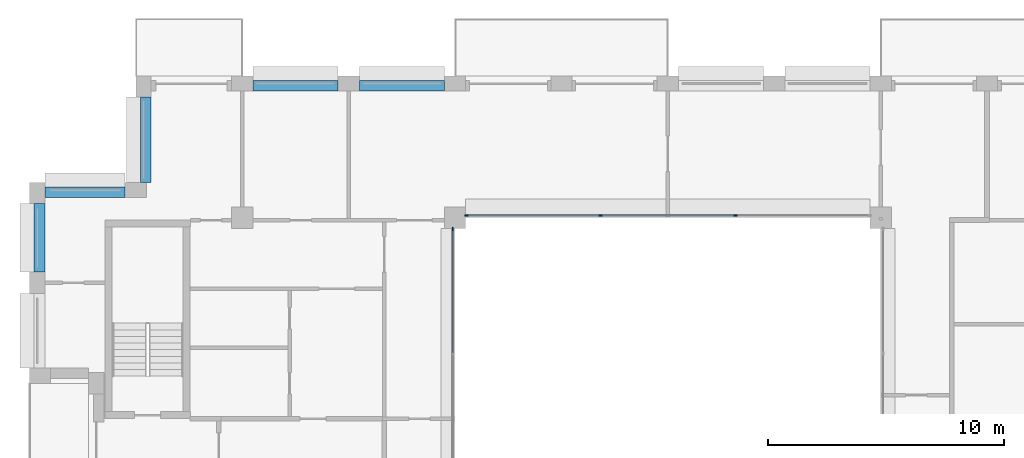
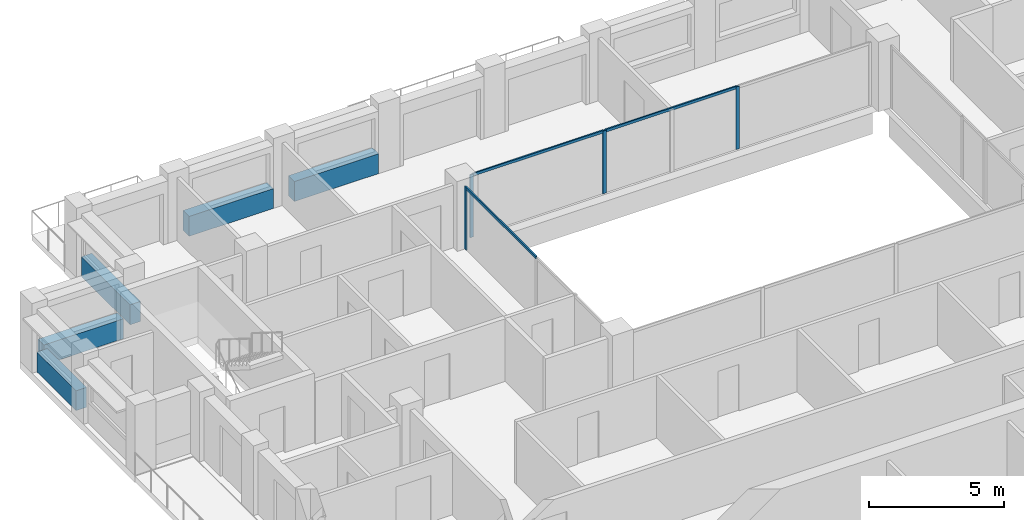
# One storey, part 5 of 16: 7 members, 5 beams, 2 elements without a shape of their own.
"""IFC4 building model written with IfcOpenShell, lengths in metres."""

from ifc_helpers import new_model, si_unit, direction, frame, origin, origin_2d, place, context, subcontext, project, spatial, rectangle, extrude, material, layer, layer_set, material_profile, profile_set, type_object, element, aggregate, save


model = new_model("IFC4")

# Units and contexts
model_context = context("Model", 3, precision=1e-05, world=origin(), true_north=direction((0.0, 1.0)))
body_context = subcontext(model_context, "Body", "Model", "MODEL_VIEW")
ifc_project = project(units=[si_unit("LENGTHUNIT", "METRE"), si_unit("AREAUNIT", "SQUARE_METRE"), si_unit("VOLUMEUNIT", "CUBIC_METRE"), si_unit("PLANEANGLEUNIT", "RADIAN"), si_unit("MASSUNIT", "GRAM", prefix="KILO")], contexts=[model_context])

# Site, building, storey
site_placement = place(None, origin())
site = spatial("IfcSite", under=ifc_project, at=site_placement, CompositionType="ELEMENT")
building_placement = place(site_placement, origin())
building = spatial("IfcBuilding", under=site, at=building_placement, Name="Brigalow Station Residences", CompositionType="ELEMENT")
storey_placement = place(building_placement, frame((0.0, 0.0, 204.300048828125)))
storey = spatial("IfcBuildingStorey", under=building, at=storey_placement, Name="L58", CompositionType="ELEMENT", Elevation=204.300048828125)

# Curtain wall, members
ifc_material_1 = material(Name="Aluminium", Category="aluminium")
ifc_layer = layer(ifc_material_1, 0.14990234375)
ifc_layer_set = layer_set([ifc_layer], Name="ATRIUM FIRE-RATED GLAZING CURTAIN WALL")
curtain_wall_type = type_object("IfcCurtainWallType", Name="ATRIUM FIRE-RATED GLAZING CURTAIN WALL", PredefinedType="NOTDEFINED", material=ifc_layer_set)
curtain_wall_1_placement = place(storey_placement, origin())
curtain_wall_1 = element("IfcCurtainWall", 1, at=curtain_wall_1_placement, inside=storey, type_object=curtain_wall_type, Name="L58/cw/atrium-N", PredefinedType="NOTDEFINED")
ifc_material_2 = material(Name="Aluminium", Category="aluminium")
ifc_material_profile_1 = material_profile(ifc_material_2, rectangle(XDim=0.06005859375, YDim=0.14990234375, at=origin_2d()), Name="ATRIUM FIRE-RATED GLAZING MULLION 60x150")
ifc_profile_set_1 = profile_set([ifc_material_profile_1], Name="Aluminium")
member_type_1 = type_object("IfcMemberType", Name="ATRIUM FIRE-RATED GLAZING MULLION 60x150", PredefinedType="MULLION", material=ifc_profile_set_1)
member_1_placement = place(storey_placement, frame((38.85009765625, 35.60009765625, 0.0), z_axis=(0.0, 0.0, 1.0), x_axis=(0.0, -1.0, 0.0)))
member_1 = element("IfcMember", 2, at=member_1_placement, type_object=member_type_1, Name="L58/cw/atrium-N/M01", PredefinedType="MULLION", context=body_context, shape_type="SweptSolid", body=[
    extrude(rectangle(XDim=0.06005859375, YDim=0.14990234375, at=origin_2d()), origin(), (0.0, 0.0, 1.0), 2.829833984375),
])
member_2_placement = place(storey_placement, frame((33.14990234375, 35.60009765625, 0.0), z_axis=(0.0, 0.0, 1.0), x_axis=(0.0, -1.0, 0.0)))
member_2 = element("IfcMember", 3, at=member_2_placement, type_object=member_type_1, Name="L58/cw/atrium-N/M02", PredefinedType="MULLION", context=body_context, shape_type="SweptSolid", body=[
    extrude(rectangle(XDim=0.06005859375, YDim=0.14990234375, at=origin_2d()), origin(), (0.0, 0.0, 1.0), 2.829833984375),
])
member_3_placement = place(storey_placement, frame((27.47998046875, 35.60009765625, 0.0), z_axis=(0.0, 0.0, 1.0), x_axis=(0.0, -1.0, 0.0)))
member_3 = element("IfcMember", 4, at=member_3_placement, type_object=member_type_1, Name="L58/cw/atrium-N/M03", PredefinedType="MULLION", context=body_context, shape_type="SweptSolid", body=[
    extrude(rectangle(XDim=0.06005859375, YDim=0.14990234375, at=origin_2d()), origin(), (0.0, 0.0, 1.0), 2.829833984375),
])

# Curtain wall, member
curtain_wall_2_placement = place(storey_placement, origin())
curtain_wall_2 = element("IfcCurtainWall", 5, at=curtain_wall_2_placement, inside=storey, type_object=curtain_wall_type, Name="L58/cw/atrium-W", PredefinedType="NOTDEFINED")
member_4_placement = place(storey_placement, frame((26.89990234375, 35.02001953125, 0.0), z_axis=(0.0, 0.0, 1.0), x_axis=(1.0, 0.0, 0.0)))
member_4 = element("IfcMember", 6, at=member_4_placement, type_object=member_type_1, Name="L58/cw/atrium-W/M00", PredefinedType="MULLION", context=body_context, shape_type="SweptSolid", body=[
    extrude(rectangle(XDim=0.06005859375, YDim=0.14990234375, at=origin_2d()), origin(), (0.0, 0.0, 1.0), 2.829833984375),
])

# Member
ifc_material_3 = material(Name="Aluminium", Category="aluminium")
ifc_material_profile_2 = material_profile(ifc_material_3, rectangle(XDim=0.06005859375, YDim=0.1201171875, at=origin_2d()), Name="ATRIUM FIRE-RATED GLAZING TRANSOM 60x120")
ifc_profile_set_2 = profile_set([ifc_material_profile_2], Name="Aluminium")
member_type_2 = type_object("IfcMemberType", Name="ATRIUM FIRE-RATED GLAZING TRANSOM 60x120", PredefinedType="USERDEFINED", material=ifc_profile_set_2)
member_5_placement = place(storey_placement, frame((38.820068359375, 35.60009765625, 2.800048828125), z_axis=(-1.0, 0.0, 0.0), x_axis=(0.0, -1.0, 0.0)))
member_5 = element("IfcMember", 7, at=member_5_placement, type_object=member_type_2, Name="L58/cw/atrium-N/T01-00", ObjectType="TRANSOM", PredefinedType="USERDEFINED", context=body_context, shape_type="SweptSolid", body=[
    extrude(rectangle(XDim=0.06005859375, YDim=0.1201171875, at=origin_2d()), origin(), (0.0, 0.0, 1.0), 5.64013671875),
])

member_6_placement = place(storey_placement, frame((33.1201171875, 35.60009765625, 2.800048828125), z_axis=(-1.0, 0.0, 0.0), x_axis=(0.0, -1.0, 0.0)))
member_6 = element("IfcMember", 8, at=member_6_placement, type_object=member_type_2, Name="L58/cw/atrium-N/T02-00", ObjectType="TRANSOM", PredefinedType="USERDEFINED", context=body_context, shape_type="SweptSolid", body=[
    extrude(rectangle(XDim=0.06005859375, YDim=0.1201171875, at=origin_2d()), origin(), (0.0, 0.0, 1.0), 5.610107421875),
])

aggregate(curtain_wall_1, [member_1, member_2, member_3, member_5, member_6])

member_7_placement = place(storey_placement, frame((26.89990234375, 34.989990234375, 2.800048828125), z_axis=(0.0, -1.0, 0.0), x_axis=(1.0, 0.0, 0.0)))
member_7 = element("IfcMember", 9, at=member_7_placement, type_object=member_type_2, Name="L58/cw/atrium-W/T00-00", ObjectType="TRANSOM", PredefinedType="USERDEFINED", context=body_context, shape_type="SweptSolid", body=[
    extrude(rectangle(XDim=0.06005859375, YDim=0.1201171875, at=origin_2d()), origin(), (0.0, 0.0, 1.0), 5.2099609375),
])

aggregate(curtain_wall_2, [member_4, member_7])

# Beams
ifc_material_4 = material(Name="Concrete C50", Category="concrete")
ifc_material_profile_3 = material_profile(ifc_material_4, rectangle(XDim=0.449951171875, YDim=0.89990234375, at=origin_2d()), Name="RC450x900")
ifc_profile_set_3 = profile_set([ifc_material_profile_3], Name="Concrete C50")
beam_type = type_object("IfcBeamType", Name="SPANDREL BEAM 450x900 C50", PredefinedType="SPANDREL", material=ifc_profile_set_3)
for number, where, z_axis, x_axis, name in (
    (10, (26.550048828125, 41.074951171875, 0.449951171875), (-1.0, 0.0, 0.0), (0.0, -1.0, 0.0), "L58/spandrel/W-L58-29"),
    (11, (22.050048828125, 41.074951171875, 0.449951171875), (-1.0, 0.0, 0.0), (0.0, -1.0, 0.0), "L58/spandrel/W-L58-30"),
    (12, (13.925048828125, 40.60009765625, 0.449951171875), (0.0, -1.0, 0.0), (1.0, 0.0, 0.0), "L58/spandrel/W-L58-32"),
):
    element("IfcBeam", number, at=place(storey_placement, frame(where, z_axis=z_axis, x_axis=x_axis)), inside=storey, type_object=beam_type, Name=name, PredefinedType="SPANDREL", context=body_context, shape_type="SweptSolid", body=[
        extrude(rectangle(XDim=0.449951171875, YDim=0.89990234375, at=origin_2d()), origin(), (0.0, 0.0, 1.0), 3.60009765625),
    ])
beam_1_placement = place(storey_placement, frame((13.050048828125, 36.574951171875, 0.449951171875), z_axis=(-1.0, 0.0, 0.0), x_axis=(0.0, -1.0, 0.0)))
element("IfcBeam", 13, at=beam_1_placement, inside=storey, type_object=beam_type, Name="L58/spandrel/W-L58-33", PredefinedType="SPANDREL", context=body_context, shape_type="SweptSolid", body=[
    extrude(rectangle(XDim=0.449951171875, YDim=0.89990234375, at=origin_2d()), origin(), (0.0, 0.0, 1.0), 3.400146484375),
])
beam_2_placement = place(storey_placement, frame((9.425048828125, 36.10009765625, 0.449951171875), z_axis=(0.0, -1.0, 0.0), x_axis=(1.0, 0.0, 0.0)))
element("IfcBeam", 14, at=beam_2_placement, inside=storey, type_object=beam_type, Name="L58/spandrel/W-L58-34", PredefinedType="SPANDREL", context=body_context, shape_type="SweptSolid", body=[
    extrude(rectangle(XDim=0.449951171875, YDim=0.89990234375, at=origin_2d()), origin(), (0.0, 0.0, 1.0), 2.900146484375),
])

save(model, "model.ifc")
